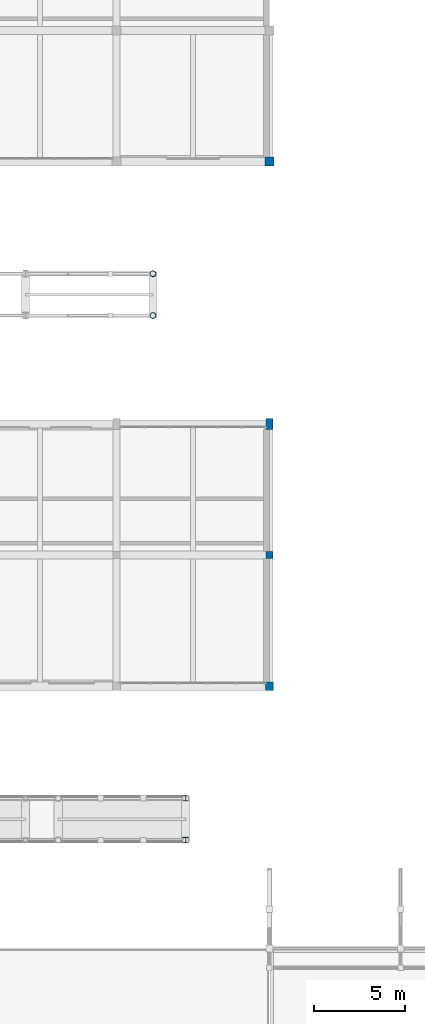
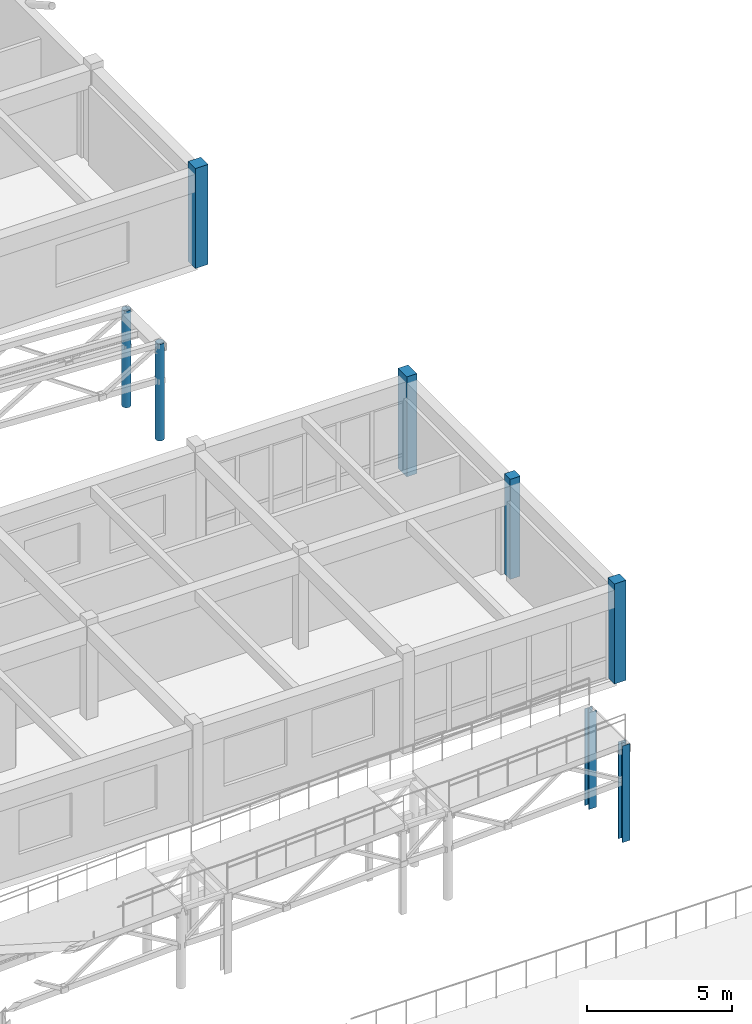
# One storey, part 25 of 90: 8 columns.
"""IFC4 building model written with IfcOpenShell, lengths in metres."""

from ifc_helpers import new_model, si_unit, direction, frame, origin, origin_2d, place, context, subcontext, project, spatial, rectangle, hollow_circle, i_section, extrude, material, material_profile, profile_set, type_object, element, save


model = new_model("IFC4")

# Units and contexts
model_context = context("Model", 3, precision=1e-05, world=origin(), true_north=direction((0.0, 1.0)))
body_context = subcontext(model_context, "Body", "Model", "MODEL_VIEW")
ifc_project = project(units=[si_unit("LENGTHUNIT", "METRE"), si_unit("AREAUNIT", "SQUARE_METRE"), si_unit("VOLUMEUNIT", "CUBIC_METRE"), si_unit("PLANEANGLEUNIT", "RADIAN"), si_unit("MASSUNIT", "GRAM", prefix="KILO")], contexts=[model_context])

# Site, building, storey
site_placement = place(None, origin())
site = spatial("IfcSite", under=ifc_project, at=site_placement, CompositionType="ELEMENT")
building_placement = place(site_placement, origin())
building = spatial("IfcBuilding", under=site, at=building_placement, Name="Malvenik Polytechnic", CompositionType="ELEMENT")
storey_placement = place(building_placement, frame((0.0, 0.0, 9.300048828125)))
storey = spatial("IfcBuildingStorey", under=building, at=storey_placement, Name="L02", CompositionType="ELEMENT", Elevation=9.300048828125)

# Columns
ifc_material_1 = material(Name="Concrete C35/45", Category="concrete")
ifc_material_profile_1 = material_profile(ifc_material_1, rectangle(XDim=0.5, YDim=0.5, at=origin_2d()), Name="RC COL 500x500")
ifc_profile_set_1 = profile_set([ifc_material_profile_1], Name="Concrete C35/45")
column_type_1 = type_object("IfcColumnType", Name="STR-COL-C-08", PredefinedType="COLUMN", material=ifc_profile_set_1)
column_1_placement = place(storey_placement, frame((134.39990234375, 79.199951171875, 0.0), z_axis=(0.0, 0.0, 1.0), x_axis=(1.0, 0.0, 0.0)))
element("IfcColumn", 1, at=column_1_placement, inside=storey, type_object=column_type_1, Name="Column C-08 L02 (134.4,79.2)", PredefinedType="COLUMN", context=body_context, shape_type="SweptSolid", body=[
    extrude(rectangle(XDim=0.5, YDim=0.5, at=origin_2d()), origin(), (0.0, 0.0, 1.0), 4.199951171875),
])
ifc_material_profile_2 = material_profile(ifc_material_1, rectangle(XDim=0.449951171875, YDim=0.449951171875, at=origin_2d()), Name="RC COL 450x450")
ifc_profile_set_2 = profile_set([ifc_material_profile_2], Name="Concrete C35/45")
column_type_2 = type_object("IfcColumnType", Name="STR-COL-C-09", PredefinedType="COLUMN", material=ifc_profile_set_2)
column_2_placement = place(storey_placement, frame((134.39990234375, 50.39990234375, 0.0), z_axis=(0.0, 0.0, 1.0), x_axis=(1.0, 0.0, 0.0)))
element("IfcColumn", 2, at=column_2_placement, inside=storey, type_object=column_type_2, Name="Column C-09 L02 (134.4,50.4)", PredefinedType="COLUMN", context=body_context, shape_type="SweptSolid", body=[
    extrude(rectangle(XDim=0.449951171875, YDim=0.449951171875, at=origin_2d()), origin(), (0.0, 0.0, 1.0), 4.199951171875),
])
ifc_material_2 = material(Name="Concrete C30/37", Category="concrete")
ifc_material_profile_3 = material_profile(ifc_material_2, rectangle(XDim=0.39990234375, YDim=0.39990234375, at=origin_2d()), Name="RC COL 400x400")
ifc_profile_set_3 = profile_set([ifc_material_profile_3], Name="Concrete C30/37")
column_type_3 = type_object("IfcColumnType", Name="STR-COL-C-10", PredefinedType="COLUMN", material=ifc_profile_set_3)
column_3_placement = place(storey_placement, frame((134.39990234375, 57.60009765625, 0.0), z_axis=(0.0, 0.0, 1.0), x_axis=(1.0, 0.0, 0.0)))
element("IfcColumn", 3, at=column_3_placement, inside=storey, type_object=column_type_3, Name="Column C-10 L02 (134.4,57.6)", PredefinedType="COLUMN", context=body_context, shape_type="SweptSolid", body=[
    extrude(rectangle(XDim=0.39990234375, YDim=0.39990234375, at=origin_2d()), origin(), (0.0, 0.0, 1.0), 4.199951171875),
])
ifc_material_profile_4 = material_profile(ifc_material_1, rectangle(XDim=0.39990234375, YDim=0.60009765625, at=origin_2d()), Name="RC COL 600x400")
ifc_profile_set_4 = profile_set([ifc_material_profile_4], Name="Concrete C35/45")
column_type_4 = type_object("IfcColumnType", Name="STR-COL-C-15", PredefinedType="COLUMN", material=ifc_profile_set_4)
column_4_placement = place(storey_placement, frame((134.39990234375, 64.800048828125, 0.0), z_axis=(0.0, 0.0, 1.0), x_axis=(1.0, 0.0, 0.0)))
element("IfcColumn", 4, at=column_4_placement, inside=storey, type_object=column_type_4, Name="Column C-15 L02 (134.4,64.8)", PredefinedType="COLUMN", context=body_context, shape_type="SweptSolid", body=[
    extrude(rectangle(XDim=0.39990234375, YDim=0.60009765625, at=origin_2d()), origin(), (0.0, 0.0, 1.0), 4.199951171875),
])
ifc_material_3 = material(Name="Steel S355J2H", Category="steel")
ifc_material_profile_5 = material_profile(ifc_material_3, hollow_circle(Radius=0.161865234375, WallThickness=0.012451171875, at=origin_2d()), Name="CHS 323.9x12.5")
ifc_profile_set_5 = profile_set([ifc_material_profile_5], Name="Steel S355J2H")
column_type_5 = type_object("IfcColumnType", Name="STR-SCOL-SC-04", PredefinedType="COLUMN", material=ifc_profile_set_5)
for number, where, z_axis, x_axis, name in (
    (5, (128.0, 70.75, 0.0), (0.0, 0.0, 1.0), (1.0, 0.0, 0.0), "Bridge-Ramp Support Column SC-04 L02"),
    (6, (128.0, 73.050048828125, 0.0), (0.0, 0.0, 1.0), (1.0, 0.0, 0.0), "Bridge-Ramp Support Column SC-04 L02"),
):
    element("IfcColumn", number, at=place(storey_placement, frame(where, z_axis=z_axis, x_axis=x_axis)), inside=storey, type_object=column_type_5, Name=name, PredefinedType="COLUMN", context=body_context, shape_type="SweptSolid", body=[
        extrude(hollow_circle(Radius=0.161865234375, WallThickness=0.012451171875, at=origin_2d()), origin(), (0.0, 0.0, 1.0), 4.06005859375),
    ])
ifc_material_4 = material(Name="Steel S355", Category="steel")
ifc_material_profile_6 = material_profile(ifc_material_4, i_section(OverallWidth=0.300048828125, OverallDepth=0.300048828125, WebThickness=0.010986328125, FlangeThickness=0.01904296875, FilletRadius=0.027099609375, at=origin_2d()), Name="HEB 300")
ifc_profile_set_6 = profile_set([ifc_material_profile_6], Name="Steel S355")
column_type_6 = type_object("IfcColumnType", Name="STR-SCOL-SC-05", PredefinedType="COLUMN", material=ifc_profile_set_6)
for number, where, z_axis, x_axis, name in (
    (7, (129.800048828125, 41.949951171875, 0.0), (0.0, 0.0, 1.0), (1.0, 0.0, 0.0), "Bridge-Ramp Support Column SC-05 L02"),
    (8, (129.800048828125, 44.25, 0.0), (0.0, 0.0, 1.0), (1.0, 0.0, 0.0), "Bridge-Ramp Support Column SC-05 L02"),
):
    element("IfcColumn", number, at=place(storey_placement, frame(where, z_axis=z_axis, x_axis=x_axis)), inside=storey, type_object=column_type_6, Name=name, PredefinedType="COLUMN", context=body_context, shape_type="SweptSolid", body=[
        extrude(i_section(OverallWidth=0.300048828125, OverallDepth=0.300048828125, WebThickness=0.010986328125, FlangeThickness=0.01904296875, FilletRadius=0.027099609375, at=origin_2d()), origin(), (0.0, 0.0, 1.0), 4.06005859375),
    ])

save(model, "model.ifc")
